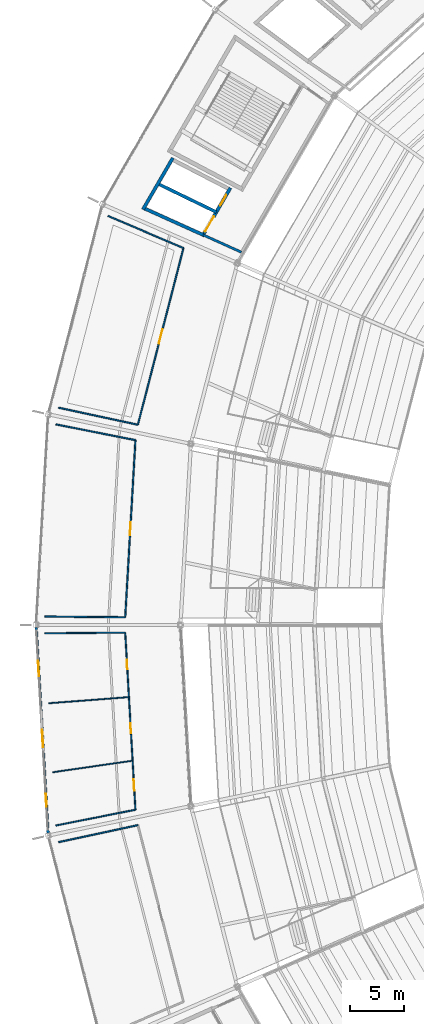
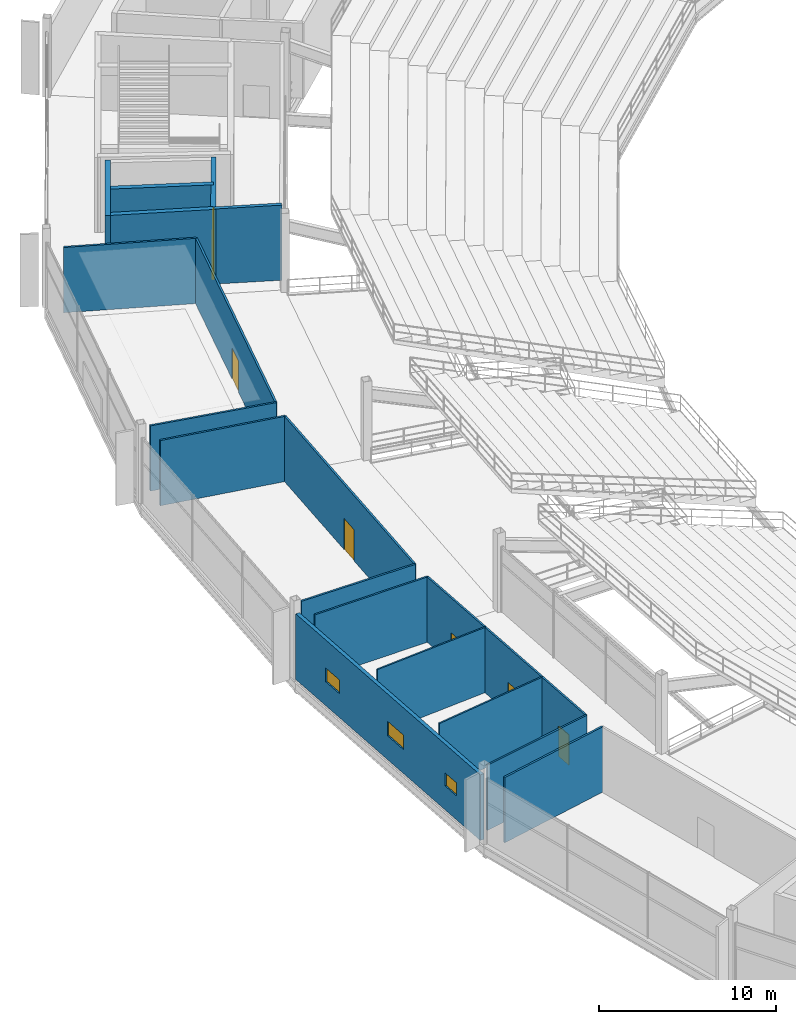
# One storey, part 127 of 186: 18 walls, 7 doors, 3 windows, 10 openings.
"""IFC4 building model written with IfcOpenShell, lengths in metres."""

from ifc_helpers import new_model, si_unit, direction, frame, frame_2d, origin, place, context, subcontext, project, spatial, rectangle, extrude, material, layer, layer_set, type_object, element, fill, save


model = new_model("IFC4")

# Units and contexts
model_context = context("Model", 3, precision=1e-05, world=origin(), true_north=direction((0.0, 1.0)))
body_context = subcontext(model_context, "Body", "Model", "MODEL_VIEW")
ifc_project = project(units=[si_unit("LENGTHUNIT", "METRE"), si_unit("AREAUNIT", "SQUARE_METRE"), si_unit("VOLUMEUNIT", "CUBIC_METRE"), si_unit("PLANEANGLEUNIT", "RADIAN"), si_unit("MASSUNIT", "GRAM", prefix="KILO")], contexts=[model_context])

# Site, building, storey
site_placement = place(None, origin())
site = spatial("IfcSite", under=ifc_project, at=site_placement, CompositionType="ELEMENT")
building_placement = place(site_placement, origin())
building = spatial("IfcBuilding", under=site, at=building_placement, Name="Kazemori Nagisa Stadium", CompositionType="ELEMENT")
storey_placement = place(building_placement, frame((0.0, 0.0, 20.39990234375)))
storey = spatial("IfcBuildingStorey", under=building, at=storey_placement, Name="L04", CompositionType="ELEMENT", Elevation=20.39990234375)

# Wall, openings, windows
ifc_material_1 = material(Name="Steel S355 (SN490B)", Category="steel")
ifc_layer_1 = layer(ifc_material_1, 0.239990234375, Name="Steel S355 (SN490B)", Category="steel")
ifc_layer_set_1 = layer_set([ifc_layer_1], Name="Steel S355 (SN490B)")
wall_type_1 = type_object("IfcWallType", Name="Wall_W-EXT-240", PredefinedType="SOLIDWALL", material=ifc_layer_set_1)
wall_1_placement = place(storey_placement, frame((28.0126953125, 101.7802734375, 0.0), z_axis=(0.0, 0.0, 1.0), x_axis=(0.057596781515, -0.998339927459, 0.0)))
wall_1 = element("IfcWall", 1, at=wall_1_placement, inside=storey, type_object=wall_type_1, Name="Exterior facade wall L04-15", PredefinedType="SOLIDWALL", context=body_context, shape_type="SweptSolid", body=[
    extrude(rectangle(XDim=18.98974609375, YDim=0.239990234375, at=frame_2d((9.494873046875, 0.0))), origin(), (0.0, 0.0, 1.0), 4.530029296875),
])
opening_1_placement = place(wall_1_placement, frame((3.072998046875, 0.0, 1.64990234375)))
opening_1 = element("IfcOpeningElement", 2, at=opening_1_placement, cuts=wall_1, Name="Opening WIN-WC-1450", PredefinedType="OPENING", context=body_context, shape_type="SweptSolid", body=[
    extrude(rectangle(XDim=1.449951171875, YDim=0.949951171875, at=frame_2d((0.72509765625, 0.47509765625))), frame((0.0, 0.1298828125, 0.0), z_axis=(0.0, -1.0, 0.0), x_axis=(1.0, 0.0, 0.0)), (0.0, 0.0, 1.0), 0.260009765625),
])
opening_2_placement = place(wall_1_placement, frame((9.429931640625, 0.0, 1.64990234375)))
opening_2 = element("IfcOpeningElement", 3, at=opening_2_placement, cuts=wall_1, Name="Opening WIN-WC-1650", PredefinedType="OPENING", context=body_context, shape_type="SweptSolid", body=[
    extrude(rectangle(XDim=1.64990234375, YDim=1.0, at=frame_2d((0.824951171875, 0.5))), frame((0.0, 0.1298828125, 0.0), z_axis=(0.0, -1.0, 0.0), x_axis=(1.0, 0.0, 0.0)), (0.0, 0.0, 1.0), 0.260009765625),
])
opening_3_placement = place(wall_1_placement, frame((15.35205078125, 0.0, 1.64990234375)))
opening_3 = element("IfcOpeningElement", 4, at=opening_3_placement, cuts=wall_1, Name="Opening WIN-WC-1200", PredefinedType="OPENING", context=body_context, shape_type="SweptSolid", body=[
    extrude(rectangle(XDim=1.199951171875, YDim=0.89990234375, at=frame_2d((0.60009765625, 0.449951171875))), frame((0.0, 0.1298828125, 0.0), z_axis=(0.0, -1.0, 0.0), x_axis=(1.0, 0.0, 0.0)), (0.0, 0.0, 1.0), 0.260009765625),
])
ifc_material_2 = material(Name="Low-e laminated double glazing", Category="glass")
window_type_1 = type_object("IfcWindowType", Name="Window_WIN-WC-1200", PartitioningType="SINGLE_PANEL", PredefinedType="WINDOW", material=ifc_material_2)
window_1_placement = place(opening_3_placement, origin())
window_1 = element("IfcWindow", 5, at=window_1_placement, inside=storey, type_object=window_type_1, Name="Sanitary clerestory window L04-15-3", OverallHeight=0.89990234375, OverallWidth=1.199951171875, PartitioningType="SINGLE_PANEL", PredefinedType="WINDOW", context=body_context, shape_type="SweptSolid", body=[
    extrude(rectangle(XDim=1.199951171875, YDim=0.89990234375, at=frame_2d((0.60009765625, 0.449951171875))), frame((0.0, 0.030029296875, 0.0), z_axis=(0.0, -1.0, 0.0), x_axis=(1.0, 0.0, 0.0)), (0.0, 0.0, 1.0), 0.06005859375),
])
fill(opening_3, window_1)
window_type_2 = type_object("IfcWindowType", Name="Window_WIN-WC-1450", PartitioningType="SINGLE_PANEL", PredefinedType="WINDOW", material=ifc_material_2)
window_2_placement = place(opening_1_placement, origin())
window_2 = element("IfcWindow", 6, at=window_2_placement, inside=storey, type_object=window_type_2, Name="Sanitary clerestory window L04-15-1", OverallHeight=0.949951171875, OverallWidth=1.449951171875, PartitioningType="SINGLE_PANEL", PredefinedType="WINDOW", context=body_context, shape_type="SweptSolid", body=[
    extrude(rectangle(XDim=1.449951171875, YDim=0.949951171875, at=frame_2d((0.72509765625, 0.47509765625))), frame((0.0, 0.030029296875, 0.0), z_axis=(0.0, -1.0, 0.0), x_axis=(1.0, 0.0, 0.0)), (0.0, 0.0, 1.0), 0.06005859375),
])
fill(opening_1, window_2)
window_type_3 = type_object("IfcWindowType", Name="Window_WIN-WC-1650", PartitioningType="SINGLE_PANEL", PredefinedType="WINDOW", material=ifc_material_2)
window_3_placement = place(opening_2_placement, origin())
window_3 = element("IfcWindow", 7, at=window_3_placement, inside=storey, type_object=window_type_3, Name="Sanitary clerestory window L04-15-2", OverallHeight=1.0, OverallWidth=1.64990234375, PartitioningType="SINGLE_PANEL", PredefinedType="WINDOW", context=body_context, shape_type="SweptSolid", body=[
    extrude(rectangle(XDim=1.64990234375, YDim=1.0, at=frame_2d((0.824951171875, 0.5))), frame((0.0, 0.030029296875, 0.0), z_axis=(0.0, -1.0, 0.0), x_axis=(1.0, 0.0, 0.0)), (0.0, 0.0, 1.0), 0.06005859375),
])
fill(opening_2, window_3)

# Walls
ifc_material_3 = material(Name="Concrete C36/45 (Fc36)", Category="concrete")
ifc_layer_2 = layer(ifc_material_3, 0.219970703125, Name="Concrete C36/45 (Fc36)", Category="concrete")
ifc_layer_set_2 = layer_set([ifc_layer_2], Name="Concrete C36/45 (Fc36)")
wall_type_2 = type_object("IfcWallType", Name="Wall_W-LOBBY-220", PredefinedType="SOLIDWALL", material=ifc_layer_set_2)
wall_2_placement = place(storey_placement, frame((46.91845703125, 136.328857421875, 0.0), z_axis=(0.0, 0.0, 1.0), x_axis=(-0.91149641055, 0.411308027582, 0.0)))
element("IfcWall", 8, at=wall_2_placement, inside=storey, type_object=wall_type_2, Name="Core lobby right wall ST08 L04", PredefinedType="SOLIDWALL", context=body_context, shape_type="SweptSolid", body=[
    extrude(rectangle(XDim=3.873046875, YDim=0.219970703125, at=frame_2d((1.9365234375, 0.0))), origin(), (0.0, 0.0, 1.0), 5.18017578125),
])
ifc_material_4 = material(Name="High-pressure phenolic compact laminate", Category="gypsum")
ifc_layer_3 = layer(ifc_material_4, 0.10009765625, Name="High-pressure phenolic compact laminate", Category="gypsum")
ifc_layer_set_3 = layer_set([ifc_layer_3], Name="High-pressure phenolic compact laminate")
wall_type_3 = type_object("IfcWallType", Name="Wall_W-PART-100", PredefinedType="PARTITIONING", material=ifc_layer_set_3)
wall_3_placement = place(storey_placement, frame((36.553466796875, 95.353515625, 0.0), z_axis=(0.0, 0.0, 1.0), x_axis=(-0.997057978224, -0.076651079969, 0.0)))
element("IfcWall", 9, at=wall_3_placement, inside=storey, type_object=wall_type_3, Name="Sanitary divider partition L04-B15-1", PredefinedType="PARTITIONING", context=body_context, shape_type="SweptSolid", body=[
    extrude(rectangle(XDim=7.39892578125, YDim=0.10009765625, at=frame_2d((3.699462890625, 0.0))), origin(), (0.0, 0.0, 1.0), 4.5),
])
wall_4_placement = place(storey_placement, frame((36.891357421875, 89.497802734375, 0.0), z_axis=(0.0, 0.0, 1.0), x_axis=(-0.989624042241, -0.143681087896, 0.0)))
element("IfcWall", 10, at=wall_4_placement, inside=storey, type_object=wall_type_3, Name="Sanitary divider partition L04-B15-2", PredefinedType="PARTITIONING", context=body_context, shape_type="SweptSolid", body=[
    extrude(rectangle(XDim=7.425537109375, YDim=0.10009765625, at=frame_2d((3.712890625, 0.0))), origin(), (0.0, 0.0, 1.0), 4.5),
])

# Wall, openings, doors
ifc_material_5 = material(Name="Moisture-resistant gypsum board", Category="gypsum")
ifc_layer_4 = layer(ifc_material_5, 0.114990234375, Name="Moisture-resistant gypsum board", Category="gypsum")
ifc_layer_set_4 = layer_set([ifc_layer_4], Name="Moisture-resistant gypsum board")
wall_type_4 = type_object("IfcWallType", Name="Wall_W-PART-115", PredefinedType="PARTITIONING", material=ifc_layer_set_4)
wall_5_placement = place(storey_placement, frame((36.2109375, 101.290771484375, 0.0), z_axis=(0.0, 0.0, 1.0), x_axis=(0.057605127437, -0.998339445927, 0.0)))
wall_5 = element("IfcWall", 11, at=wall_5_placement, inside=storey, type_object=wall_type_4, Name="Sanitary block corridor partition L04-B15", PredefinedType="PARTITIONING", context=body_context, shape_type="SweptSolid", body=[
    extrude(rectangle(XDim=16.338134765625, YDim=0.114990234375, at=frame_2d((8.1689453125, 0.0))), origin(), (0.0, 0.0, 1.0), 4.5),
])
opening_4_placement = place(wall_5_placement, frame((2.490966796875, 0.0, 0.0)))
opening_4 = element("IfcOpeningElement", 12, at=opening_4_placement, cuts=wall_5, Name="Opening D-WC-900", PredefinedType="OPENING", context=body_context, shape_type="SweptSolid", body=[
    extrude(rectangle(XDim=0.89990234375, YDim=2.10009765625, at=frame_2d((0.449951171875, 1.050048828125))), frame((0.0, 0.0673828125, 0.0), z_axis=(0.0, -1.0, 0.0), x_axis=(1.0, 0.0, 0.0)), (0.0, 0.0, 1.0), 0.135009765625),
])
opening_5_placement = place(wall_5_placement, frame((8.373046875, 0.0, 0.0)))
opening_5 = element("IfcOpeningElement", 13, at=opening_5_placement, cuts=wall_5, Name="Opening D-WC-900", PredefinedType="OPENING", context=body_context, shape_type="SweptSolid", body=[
    extrude(rectangle(XDim=0.89990234375, YDim=2.10009765625, at=frame_2d((0.449951171875, 1.050048828125))), frame((0.0, 0.0673828125, 0.0), z_axis=(0.0, -1.0, 0.0), x_axis=(1.0, 0.0, 0.0)), (0.0, 0.0, 1.0), 0.135009765625),
])
opening_6_placement = place(wall_5_placement, frame((13.52587890625, 0.0, 0.0)))
opening_6 = element("IfcOpeningElement", 14, at=opening_6_placement, cuts=wall_5, Name="Opening D-AWC-1050", PredefinedType="OPENING", context=body_context, shape_type="SweptSolid", body=[
    extrude(rectangle(XDim=1.050048828125, YDim=2.10009765625, at=frame_2d((0.52490234375, 1.050048828125))), frame((0.0, 0.0673828125, 0.0), z_axis=(0.0, -1.0, 0.0), x_axis=(1.0, 0.0, 0.0)), (0.0, 0.0, 1.0), 0.135009765625),
])
ifc_material_6 = material(Name="High-pressure laminate on timber core", Category="wood")
door_type_1 = type_object("IfcDoorType", Name="Door_D-AWC-1050", OperationType="NOTDEFINED", PredefinedType="DOOR", material=ifc_material_6)
door_1_placement = place(opening_6_placement, origin())
door_1 = element("IfcDoor", 15, at=door_1_placement, inside=storey, type_object=door_type_1, Name="AWC entrance door L04-B15", OperationType="SINGLE_SWING_LEFT", OverallHeight=2.10009765625, OverallWidth=1.050048828125, PredefinedType="DOOR", context=body_context, shape_type="SweptSolid", body=[
    extrude(rectangle(XDim=1.050048828125, YDim=2.10009765625, at=frame_2d((0.52490234375, 1.050048828125))), frame((0.0, 0.02490234375, 0.0), z_axis=(0.0, -1.0, 0.0), x_axis=(1.0, 0.0, 0.0)), (0.0, 0.0, 1.0), 0.050048828125),
])
fill(opening_6, door_1)
door_type_2 = type_object("IfcDoorType", Name="Door_D-WC-900", OperationType="NOTDEFINED", PredefinedType="DOOR", material=ifc_material_6)
door_2_placement = place(opening_4_placement, origin())
door_2 = element("IfcDoor", 16, at=door_2_placement, inside=storey, type_object=door_type_2, Name="MWC entrance door L04-B15", OperationType="SINGLE_SWING_LEFT", OverallHeight=2.10009765625, OverallWidth=0.89990234375, PredefinedType="DOOR", context=body_context, shape_type="SweptSolid", body=[
    extrude(rectangle(XDim=0.89990234375, YDim=2.10009765625, at=frame_2d((0.449951171875, 1.050048828125))), frame((0.0, 0.02490234375, 0.0), z_axis=(0.0, -1.0, 0.0), x_axis=(1.0, 0.0, 0.0)), (0.0, 0.0, 1.0), 0.050048828125),
])
fill(opening_4, door_2)
door_3_placement = place(opening_5_placement, origin())
door_3 = element("IfcDoor", 17, at=door_3_placement, inside=storey, type_object=door_type_2, Name="FWC entrance door L04-B15", OperationType="SINGLE_SWING_RIGHT", OverallHeight=2.10009765625, OverallWidth=0.89990234375, PredefinedType="DOOR", context=body_context, shape_type="SweptSolid", body=[
    extrude(rectangle(XDim=0.89990234375, YDim=2.10009765625, at=frame_2d((0.449951171875, 1.050048828125))), frame((0.0, 0.02490234375, 0.0), z_axis=(0.0, -1.0, 0.0), x_axis=(1.0, 0.0, 0.0)), (0.0, 0.0, 1.0), 0.050048828125),
])
fill(opening_5, door_3)

# Walls
wall_6_placement = place(storey_placement, frame((36.2109375, 101.290771484375, 0.0), z_axis=(0.0, 0.0, 1.0), x_axis=(-0.999966587703, -0.008174562869, 0.0)))
element("IfcWall", 18, at=wall_6_placement, inside=storey, type_object=wall_type_4, Name="Sanitary block L partition L04-B15", PredefinedType="PARTITIONING", context=body_context, shape_type="SweptSolid", body=[
    extrude(rectangle(XDim=7.40673828125, YDim=0.114990234375, at=frame_2d((3.703369140625, 0.0))), origin(), (0.0, 0.0, 1.0), 4.5),
])
wall_7_placement = place(storey_placement, frame((37.152099609375, 84.979736328125, 0.0), z_axis=(0.0, 0.0, 1.0), x_axis=(-0.980903700741, -0.194494035571, 0.0)))
element("IfcWall", 19, at=wall_7_placement, inside=storey, type_object=wall_type_4, Name="Sanitary block R partition L04-B15", PredefinedType="PARTITIONING", context=body_context, shape_type="SweptSolid", body=[
    extrude(rectangle(XDim=7.46875, YDim=0.114990234375, at=frame_2d((3.734375, 0.0))), origin(), (0.0, 0.0, 1.0), 4.5),
])

# Wall, opening, door
ifc_material_7 = material(Name="Gypsum plasterboard", Category="gypsum")
ifc_layer_5 = layer(ifc_material_7, 0.125, Name="Gypsum plasterboard", Category="gypsum")
ifc_layer_set_5 = layer_set([ifc_layer_5], Name="Gypsum plasterboard")
wall_type_5 = type_object("IfcWallType", Name="Wall_W-PART-125", PredefinedType="PARTITIONING", material=ifc_layer_set_5)
wall_8_placement = place(storey_placement, frame((41.576416015625, 136.70947265625, 0.0), z_axis=(0.0, 0.0, 1.0), x_axis=(-0.249966328054, -0.968254529986, 0.0)))
wall_8 = element("IfcWall", 20, at=wall_8_placement, inside=storey, type_object=wall_type_5, Name="Room corridor partition L04-B13", PredefinedType="PARTITIONING", context=body_context, shape_type="SweptSolid", body=[
    extrude(rectangle(XDim=16.805908203125, YDim=0.125, at=frame_2d((8.40283203125, 0.0))), origin(), (0.0, 0.0, 1.0), 4.5),
])
opening_7_placement = place(wall_8_placement, frame((7.72802734375, 0.0, 0.0)))
opening_7 = element("IfcOpeningElement", 21, at=opening_7_placement, cuts=wall_8, Name="Opening D-CON-1350", PredefinedType="OPENING", context=body_context, shape_type="SweptSolid", body=[
    extrude(rectangle(XDim=1.35009765625, YDim=2.14990234375, at=frame_2d((0.675048828125, 1.074951171875))), frame((0.0, 0.072509765625, 0.0), z_axis=(0.0, -1.0, 0.0), x_axis=(1.0, 0.0, 0.0)), (0.0, 0.0, 1.0), 0.14501953125),
])
ifc_material_8 = material(Name="Anodised aluminium 6063-T5", Category="aluminium")
door_type_3 = type_object("IfcDoorType", Name="Door_D-CON-1350", OperationType="NOTDEFINED", PredefinedType="DOOR", material=ifc_material_8)
door_4_placement = place(opening_7_placement, origin())
door_4 = element("IfcDoor", 22, at=door_4_placement, inside=storey, type_object=door_type_3, Name="Room entrance door D-CON-1350 L04-B13", OperationType="SINGLE_SWING_LEFT", OverallHeight=2.14990234375, OverallWidth=1.35009765625, PredefinedType="DOOR", context=body_context, shape_type="SweptSolid", body=[
    extrude(rectangle(XDim=1.35009765625, YDim=2.14990234375, at=frame_2d((0.675048828125, 1.074951171875))), frame((0.0, 0.02490234375, 0.0), z_axis=(0.0, -1.0, 0.0), x_axis=(1.0, 0.0, 0.0)), (0.0, 0.0, 1.0), 0.050048828125),
])
fill(opening_7, door_4)

# Walls
wall_9_placement = place(storey_placement, frame((41.576416015625, 136.70947265625, 0.0), z_axis=(0.0, 0.0, 1.0), x_axis=(-0.919898990597, 0.39215538642, 0.0)))
element("IfcWall", 23, at=wall_9_placement, inside=storey, type_object=wall_type_5, Name="Room radial partition L04-B13-L", PredefinedType="PARTITIONING", context=body_context, shape_type="SweptSolid", body=[
    extrude(rectangle(XDim=7.553466796875, YDim=0.125, at=frame_2d((3.77685546875, 0.0))), origin(), (0.0, 0.0, 1.0), 4.5),
])
wall_10_placement = place(storey_placement, frame((37.37548828125, 120.43701171875, 0.0), z_axis=(0.0, 0.0, 1.0), x_axis=(-0.977591606225, 0.210510454464, 0.0)))
element("IfcWall", 24, at=wall_10_placement, inside=storey, type_object=wall_type_5, Name="Room radial partition L04-B13-R", PredefinedType="PARTITIONING", context=body_context, shape_type="SweptSolid", body=[
    extrude(rectangle(XDim=7.474609375, YDim=0.125, at=frame_2d((3.7373046875, 0.0))), origin(), (0.0, 0.0, 1.0), 4.5),
])

# Wall, opening, door
wall_11_placement = place(storey_placement, frame((37.152099609375, 119.020263671875, 0.0), z_axis=(0.0, 0.0, 1.0), x_axis=(-0.057605127437, -0.998339445927, 0.0)))
wall_11 = element("IfcWall", 25, at=wall_11_placement, inside=storey, type_object=wall_type_5, Name="Room corridor partition L04-B14", PredefinedType="PARTITIONING", context=body_context, shape_type="SweptSolid", body=[
    extrude(rectangle(XDim=16.338134765625, YDim=0.125, at=frame_2d((8.1689453125, 0.0))), origin(), (0.0, 0.0, 1.0), 4.5),
])
opening_8_placement = place(wall_11_placement, frame((7.55908203125, 0.0, 0.0)))
opening_8 = element("IfcOpeningElement", 26, at=opening_8_placement, cuts=wall_11, Name="Opening D-BEV-1220", PredefinedType="OPENING", context=body_context, shape_type="SweptSolid", body=[
    extrude(rectangle(XDim=1.219970703125, YDim=2.14990234375, at=frame_2d((0.60986328125, 1.074951171875))), frame((0.0, 0.072509765625, 0.0), z_axis=(0.0, -1.0, 0.0), x_axis=(1.0, 0.0, 0.0)), (0.0, 0.0, 1.0), 0.14501953125),
])
door_type_4 = type_object("IfcDoorType", Name="Door_D-BEV-1220", OperationType="NOTDEFINED", PredefinedType="DOOR", material=ifc_material_8)
door_5_placement = place(opening_8_placement, origin())
door_5 = element("IfcDoor", 27, at=door_5_placement, inside=storey, type_object=door_type_4, Name="Room entrance door D-BEV-1220 L04-B14", OperationType="SINGLE_SWING_RIGHT", OverallHeight=2.14990234375, OverallWidth=1.219970703125, PredefinedType="DOOR", context=body_context, shape_type="SweptSolid", body=[
    extrude(rectangle(XDim=1.219970703125, YDim=2.14990234375, at=frame_2d((0.60986328125, 1.074951171875))), frame((0.0, 0.02490234375, 0.0), z_axis=(0.0, -1.0, 0.0), x_axis=(1.0, 0.0, 0.0)), (0.0, 0.0, 1.0), 0.050048828125),
])
fill(opening_8, door_5)

# Walls
wall_12_placement = place(storey_placement, frame((37.152099609375, 119.020263671875, 0.0), z_axis=(0.0, 0.0, 1.0), x_axis=(-0.980903700741, 0.194494035571, 0.0)))
element("IfcWall", 28, at=wall_12_placement, inside=storey, type_object=wall_type_5, Name="Room radial partition L04-B14-L", PredefinedType="PARTITIONING", context=body_context, shape_type="SweptSolid", body=[
    extrude(rectangle(XDim=7.46875, YDim=0.125, at=frame_2d((3.734375, 0.0))), origin(), (0.0, 0.0, 1.0), 4.5),
])
wall_13_placement = place(storey_placement, frame((36.2109375, 102.709228515625, 0.0), z_axis=(0.0, 0.0, 1.0), x_axis=(-0.999966587703, 0.008174562869, 0.0)))
element("IfcWall", 29, at=wall_13_placement, inside=storey, type_object=wall_type_5, Name="Room radial partition L04-B14-R", PredefinedType="PARTITIONING", context=body_context, shape_type="SweptSolid", body=[
    extrude(rectangle(XDim=7.40673828125, YDim=0.125, at=frame_2d((3.703369140625, 0.0))), origin(), (0.0, 0.0, 1.0), 4.5),
])
wall_14_placement = place(storey_placement, frame((37.37548828125, 83.56298828125, 0.0), z_axis=(0.0, 0.0, 1.0), x_axis=(-0.977591606225, -0.210510454464, 0.0)))
element("IfcWall", 30, at=wall_14_placement, inside=storey, type_object=wall_type_5, Name="Room radial partition L04-B16-L", PredefinedType="PARTITIONING", context=body_context, shape_type="SweptSolid", body=[
    extrude(rectangle(XDim=7.474609375, YDim=0.125, at=frame_2d((3.7373046875, 0.0))), origin(), (0.0, 0.0, 1.0), 4.5),
])

# Wall, openings, doors
ifc_material_9 = material(Name="Concrete C40/50 (Fc42)", Category="concrete")
ifc_layer_6 = layer(ifc_material_9, 0.300048828125, Name="Concrete C40/50 (Fc42)", Category="concrete")
ifc_layer_set_6 = layer_set([ifc_layer_6], Name="Concrete C40/50 (Fc42)")
wall_type_6 = type_object("IfcWallType", Name="Wall_W-SHAFT-300", PredefinedType="SHEAR", material=ifc_layer_set_6)
wall_15_placement = place(storey_placement, frame((45.89990234375, 142.253662109375, 0.0), z_axis=(0.0, 0.0, 1.0), x_axis=(-0.501629534056, -0.86508254552, 0.0)))
wall_15 = element("IfcWall", 31, at=wall_15_placement, inside=storey, type_object=wall_type_6, Name="Lift shaft front wall LP6 L04", PredefinedType="SHEAR", context=body_context, shape_type="SweptSolid", body=[
    extrude(rectangle(XDim=5.157470703125, YDim=0.300048828125, at=frame_2d((2.57861328125, 0.0))), origin(), (0.0, 0.0, 1.0), 5.18017578125),
])
opening_9_placement = place(wall_15_placement, frame((0.76611328125, 0.0, 0.0)))
opening_9 = element("IfcOpeningElement", 32, at=opening_9_placement, cuts=wall_15, Name="Opening LD-PAX", PredefinedType="OPENING", context=body_context, shape_type="SweptSolid", body=[
    extrude(rectangle(XDim=1.10009765625, YDim=2.199951171875, at=frame_2d((0.550048828125, 1.10009765625))), frame((0.0, 0.159912109375, 0.0), z_axis=(0.0, -1.0, 0.0), x_axis=(1.0, 0.0, 0.0)), (0.0, 0.0, 1.0), 0.320068359375),
])
opening_10_placement = place(wall_15_placement, frame((3.0419921875, 0.0, 0.0)))
opening_10 = element("IfcOpeningElement", 33, at=opening_10_placement, cuts=wall_15, Name="Opening LD-GDS", PredefinedType="OPENING", context=body_context, shape_type="SweptSolid", body=[
    extrude(rectangle(XDim=1.60009765625, YDim=2.300048828125, at=frame_2d((0.800048828125, 1.14990234375))), frame((0.0, 0.159912109375, 0.0), z_axis=(0.0, -1.0, 0.0), x_axis=(1.0, 0.0, 0.0)), (0.0, 0.0, 1.0), 0.320068359375),
])
ifc_material_10 = material(Name="Stainless steel SUS304", Category="steel")
door_type_5 = type_object("IfcDoorType", Name="Door_LD-GDS", OperationType="SLIDING_TO_LEFT", PredefinedType="DOOR", material=ifc_material_10)
door_6_placement = place(opening_10_placement, origin())
door_6 = element("IfcDoor", 34, at=door_6_placement, inside=storey, type_object=door_type_5, Name="Lift landing door LG1-L04", OperationType="SLIDING_TO_LEFT", OverallHeight=2.300048828125, OverallWidth=1.60009765625, PredefinedType="DOOR", context=body_context, shape_type="SweptSolid", body=[
    extrude(rectangle(XDim=1.60009765625, YDim=2.300048828125, at=frame_2d((0.800048828125, 1.14990234375))), frame((0.0, 0.02490234375, 0.0), z_axis=(0.0, -1.0, 0.0), x_axis=(1.0, 0.0, 0.0)), (0.0, 0.0, 1.0), 0.050048828125),
])
fill(opening_10, door_6)
door_type_6 = type_object("IfcDoorType", Name="Door_LD-PAX", OperationType="SLIDING_TO_RIGHT", PredefinedType="DOOR", material=ifc_material_10)
door_7_placement = place(opening_9_placement, origin())
door_7 = element("IfcDoor", 35, at=door_7_placement, inside=storey, type_object=door_type_6, Name="Lift landing door LP6-L04", OperationType="SLIDING_TO_RIGHT", OverallHeight=2.199951171875, OverallWidth=1.10009765625, PredefinedType="DOOR", context=body_context, shape_type="SweptSolid", body=[
    extrude(rectangle(XDim=1.10009765625, YDim=2.199951171875, at=frame_2d((0.550048828125, 1.10009765625))), frame((0.0, 0.02490234375, 0.0), z_axis=(0.0, -1.0, 0.0), x_axis=(1.0, 0.0, 0.0)), (0.0, 0.0, 1.0), 0.050048828125),
])
fill(opening_9, door_7)

# Walls
wall_16_placement = place(storey_placement, frame((40.59521484375, 145.01171875, 0.0), z_axis=(0.0, 0.0, 1.0), x_axis=(-0.501630260479, -0.865082124293, 0.0)))
element("IfcWall", 36, at=wall_16_placement, inside=storey, type_object=wall_type_6, Name="Lift shaft B wall LP6 L04", PredefinedType="SHEAR", context=body_context, shape_type="SweptSolid", body=[
    extrude(rectangle(XDim=5.491455078125, YDim=0.300048828125, at=frame_2d((2.74560546875, 0.0))), origin(), (0.0, 0.0, 1.0), 5.18017578125),
])
wall_17_placement = place(storey_placement, frame((43.38818359375, 137.921875, 0.0), z_axis=(0.0, 0.0, 1.0), x_axis=(-0.911521602376, 0.41125219562, 0.0)))
element("IfcWall", 37, at=wall_17_placement, inside=storey, type_object=wall_type_6, Name="Lift shaft R wall LP6 L04", PredefinedType="SHEAR", context=body_context, shape_type="SweptSolid", body=[
    extrude(rectangle(XDim=6.003662109375, YDim=0.300048828125, at=frame_2d((3.001953125, 0.0))), origin(), (0.0, 0.0, 1.0), 5.18017578125),
])
wall_18_placement = place(storey_placement, frame((44.6064453125, 140.02294921875, 0.0), z_axis=(0.0, 0.0, 1.0), x_axis=(-0.899759302591, 0.436386522936, 0.0)))
element("IfcWall", 38, at=wall_18_placement, inside=storey, type_object=wall_type_6, Name="Lift shaft divider wall LP6-LG1 L04", PredefinedType="SHEAR", context=body_context, shape_type="SweptSolid", body=[
    extrude(rectangle(XDim=5.989013671875, YDim=0.300048828125, at=frame_2d((2.99462890625, 0.0))), origin(), (0.0, 0.0, 1.0), 5.18017578125),
])

save(model, "model.ifc")
